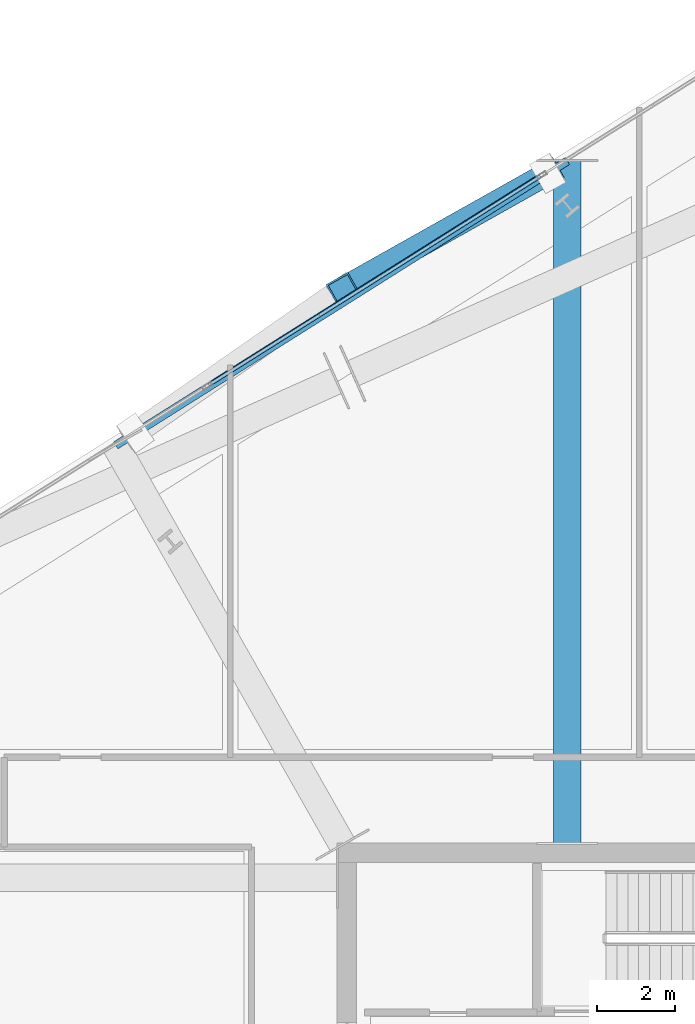
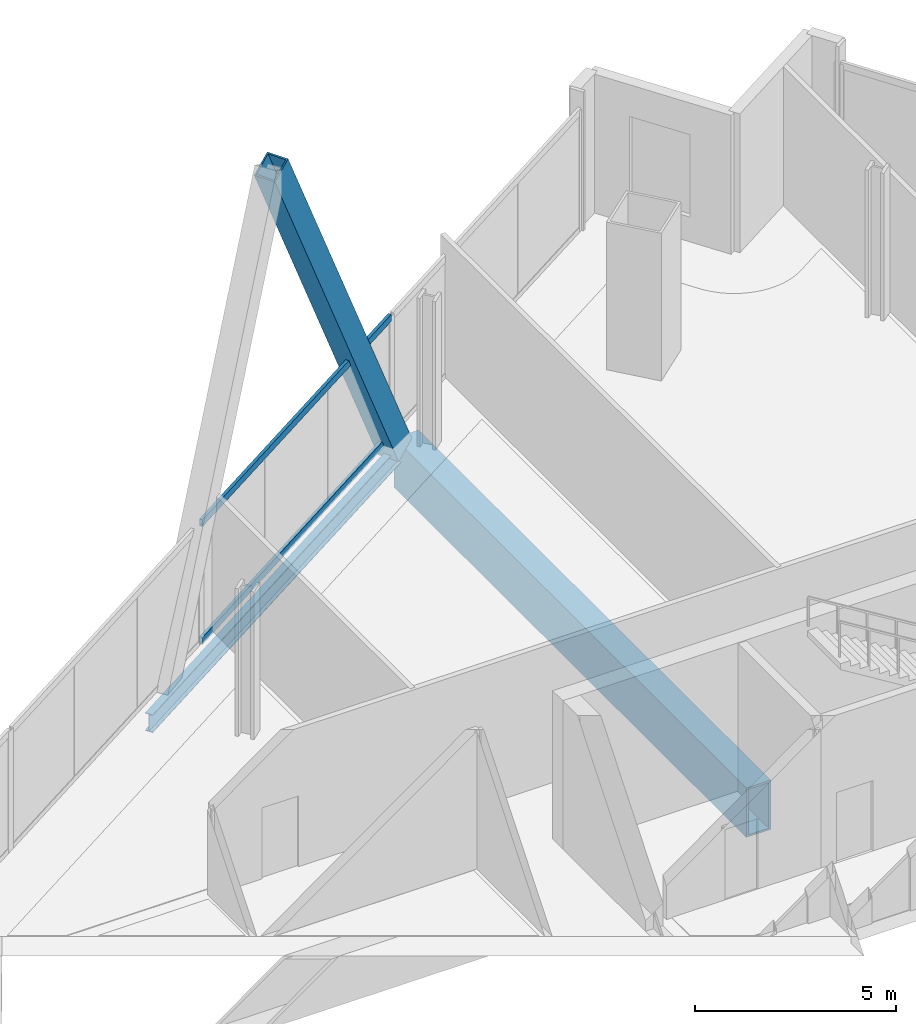
# One storey, part 13 of 29: 3 members, 2 beams, 1 element without a shape of its own.
"""IFC4 building model written with IfcOpenShell, lengths in metres."""

from ifc_helpers import new_model, si_unit, direction, frame, origin, origin_2d, place, context, subcontext, project, spatial, hollow_rectangle, i_section, extrude, material, material_profile, profile_set, type_object, element, aggregate, save


model = new_model("IFC4")

# Units and contexts
model_context = context("Model", 3, precision=1e-05, world=origin(), true_north=direction((0.0, 1.0)))
body_context = subcontext(model_context, "Body", "Model", "MODEL_VIEW")
ifc_project = project(units=[si_unit("LENGTHUNIT", "METRE"), si_unit("AREAUNIT", "SQUARE_METRE"), si_unit("VOLUMEUNIT", "CUBIC_METRE"), si_unit("PLANEANGLEUNIT", "RADIAN"), si_unit("MASSUNIT", "GRAM", prefix="KILO")], contexts=[model_context])

# Site, building, storey
site_placement = place(None, origin())
site = spatial("IfcSite", under=ifc_project, at=site_placement, CompositionType="ELEMENT")
building_placement = place(site_placement, origin())
building = spatial("IfcBuilding", under=site, at=building_placement, Name="Haldenkirk Collegiate Tower", CompositionType="ELEMENT")
storey_placement = place(building_placement, frame((0.0, 0.0, 136.199951171875)))
storey = spatial("IfcBuildingStorey", under=building, at=storey_placement, Name="L33", CompositionType="ELEMENT", Elevation=136.199951171875)

# Beams
ifc_material_1 = material(Name="Steel ASTM A992 Grade 50", Category="steel")
ifc_material_profile_1 = material_profile(ifc_material_1, i_section(OverallWidth=0.2119140625, OverallDepth=0.5439453125, WebThickness=0.01318359375, FlangeThickness=0.021240234375, at=origin_2d()), Name="W21X83")
ifc_profile_set_1 = profile_set([ifc_material_profile_1], Name="Steel ASTM A992 Grade 50")
beam_type_1 = type_object("IfcBeamType", Name="BM-SPANDREL-W21X83", PredefinedType="SPANDREL", material=ifc_profile_set_1)
beam_1_placement = place(storey_placement, frame((32.657470703125, 51.760986328125, -0.671875), z_axis=(-0.846199813678, -0.532865719793, 0.0), x_axis=(0.532865719793, -0.846199813678, 0.0)))
element("IfcBeam", 1, at=beam_1_placement, inside=storey, type_object=beam_type_1, Name="L33 outer facade edge beam 3", PredefinedType="SPANDREL", context=body_context, shape_type="SweptSolid", body=[
    extrude(i_section(OverallWidth=0.2119140625, OverallDepth=0.5439453125, WebThickness=0.01318359375, FlangeThickness=0.021240234375, at=origin_2d()), origin(), (0.0, 0.0, 1.0), 13.703369140625),
])
ifc_material_2 = material(Name="Steel ASTM A572 Grade 50", Category="steel")
ifc_material_profile_2 = material_profile(ifc_material_2, hollow_rectangle(XDim=0.699951171875, YDim=1.5, WallThickness=0.06005859375, at=origin_2d()), Name="BOX1500X700X60")
ifc_profile_set_2 = profile_set([ifc_material_profile_2], Name="Steel ASTM A572 Grade 50")
beam_type_2 = type_object("IfcBeamType", Name="BM-TRANSFER-BOX1500X700X60", PredefinedType="BEAM", material=ifc_profile_set_2)
beam_2_placement = place(storey_placement, frame((32.657470703125, 51.760986328125, -1.14990234375), z_axis=(0.0, -1.0, 0.0), x_axis=(1.0, 0.0, 0.0)))
element("IfcBeam", 2, at=beam_2_placement, inside=storey, type_object=beam_type_2, Name="L33 sky-lobby radial transfer girder 11", PredefinedType="BEAM", context=body_context, shape_type="SweptSolid", body=[
    extrude(hollow_rectangle(XDim=0.699951171875, YDim=1.5, WallThickness=0.06005859375, at=origin_2d()), origin(), (0.0, 0.0, 1.0), 17.506103515625),
])

# Curtain wall, members
ifc_material_3 = material(Name="Anodised architectural bronze aluminium", Category="aluminium")
curtain_wall_type = type_object("IfcCurtainWallType", Name="CW-SYS4-SKYGARDEN", PredefinedType="USERDEFINED", material=ifc_material_3)
curtain_wall_placement = place(storey_placement, origin())
curtain_wall = element("IfcCurtainWall", 3, at=curtain_wall_placement, inside=storey, type_object=curtain_wall_type, Name="L33 Sky-garden tall bronze curtain wall", ObjectType="UNITISED CURTAIN WALL", PredefinedType="USERDEFINED")
ifc_material_profile_3 = material_profile(ifc_material_3, hollow_rectangle(XDim=0.090087890625, YDim=0.2099609375, WallThickness=0.0048828125, at=origin_2d()), Name="CW-TRN-04")
ifc_profile_set_3 = profile_set([ifc_material_profile_3], Name="Anodised architectural bronze aluminium")
member_type_1 = type_object("IfcMemberType", Name="CW-TRN-04", PredefinedType="USERDEFINED", material=ifc_profile_set_3)
member_1_placement = place(storey_placement, frame((23.451416015625, 46.010986328125, 0.045166015625), z_axis=(0.846188257772, 0.532884070327, 0.0), x_axis=(-0.532884070327, 0.846188257772, 0.0)))
member_1 = element("IfcMember", 4, at=member_1_placement, type_object=member_type_1, Name="CW-04 transom 3.1", ObjectType="TRANSOM", PredefinedType="USERDEFINED", context=body_context, shape_type="SweptSolid", body=[
    extrude(hollow_rectangle(XDim=0.090087890625, YDim=0.2099609375, WallThickness=0.0048828125, at=origin_2d()), origin(), (0.0, 0.0, 1.0), 10.06005859375),
])
member_2_placement = place(storey_placement, frame((23.451416015625, 46.010986328125, 3.615966796875), z_axis=(0.846188257772, 0.532884070327, 0.0), x_axis=(-0.532884070327, 0.846188257772, 0.0)))
member_2 = element("IfcMember", 5, at=member_2_placement, type_object=member_type_1, Name="CW-04 transom 3.2", ObjectType="TRANSOM", PredefinedType="USERDEFINED", context=body_context, shape_type="SweptSolid", body=[
    extrude(hollow_rectangle(XDim=0.090087890625, YDim=0.2099609375, WallThickness=0.0048828125, at=origin_2d()), origin(), (0.0, 0.0, 1.0), 10.06005859375),
])
aggregate(curtain_wall, [member_1, member_2])

# Member
ifc_material_profile_4 = material_profile(ifc_material_2, hollow_rectangle(XDim=0.60009765625, YDim=0.719970703125, WallThickness=0.044921875, at=origin_2d()), Name="BOX720X600X45")
ifc_profile_set_4 = profile_set([ifc_material_profile_4], Name="Steel ASTM A572 Grade 50")
member_type_2 = type_object("IfcMemberType", Name="MBR-MEGABRACE-BOX720X600X45", PredefinedType="BRACE", material=ifc_profile_set_4)
member_3_placement = place(storey_placement, frame((32.149658203125, 51.44140625, -0.409912109375), z_axis=(-0.388691768524, -0.218544382943, 0.895073774482), x_axis=(0.490099842229, -0.871666303494, 0.0)))
element("IfcMember", 6, at=member_3_placement, inside=storey, type_object=member_type_2, Name="Perimeter Mega Brace Z3 L33-L35 NL", PredefinedType="BRACE", context=body_context, shape_type="SweptSolid", body=[
    extrude(hollow_rectangle(XDim=0.60009765625, YDim=0.719970703125, WallThickness=0.044921875, at=origin_2d()), origin(), (0.0, 0.0, 1.0), 13.529541015625),
])

save(model, "model.ifc")
